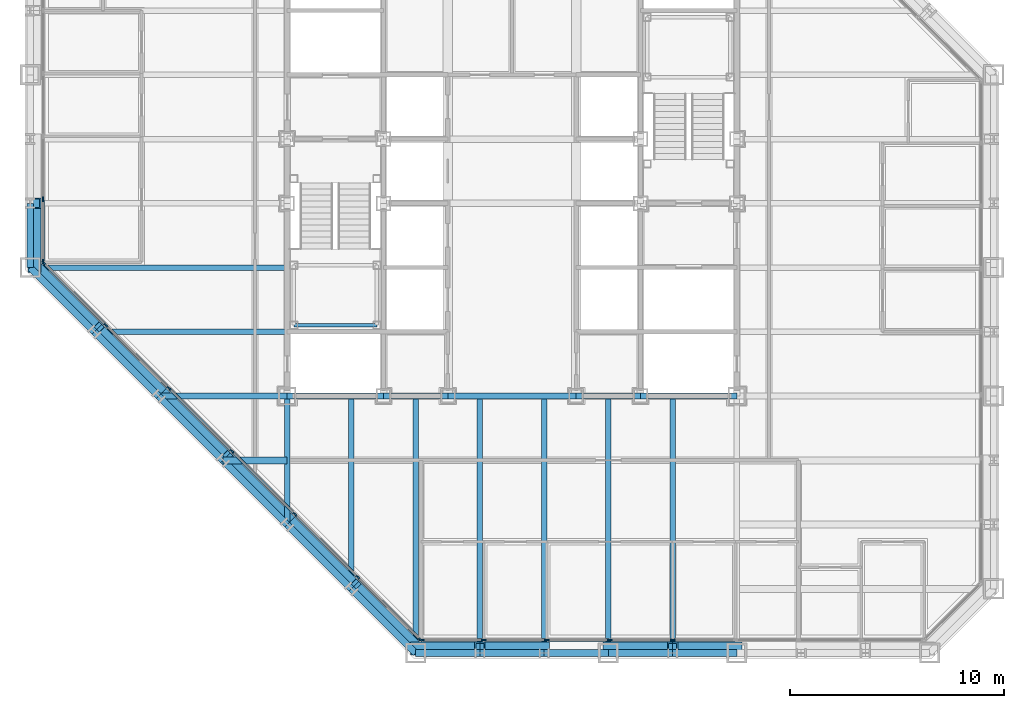
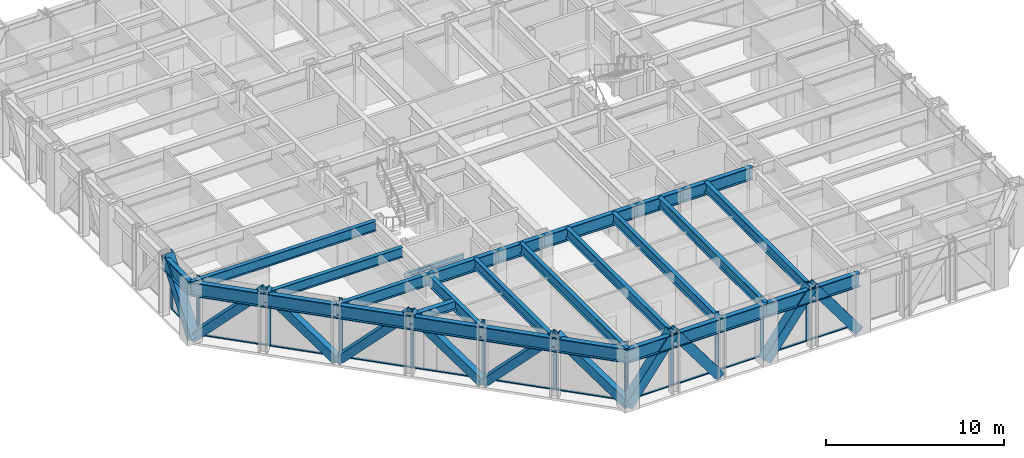
# One storey, part 4 of 16: 37 members, 29 beams, 3 elements without a shape of their own.
"""IFC4 building model written with IfcOpenShell, lengths in metres."""

from ifc_helpers import new_model, si_unit, direction, frame, origin, origin_2d, place, context, subcontext, project, spatial, rectangle, hollow_rectangle, i_section, extrude, material, layer, layer_set, material_profile, profile_set, type_object, element, aggregate, save


model = new_model("IFC4")

# Units and contexts
model_context = context("Model", 3, precision=1e-05, world=origin(), true_north=direction((0.0, 1.0)))
body_context = subcontext(model_context, "Body", "Model", "MODEL_VIEW")
ifc_project = project(units=[si_unit("LENGTHUNIT", "METRE"), si_unit("AREAUNIT", "SQUARE_METRE"), si_unit("VOLUMEUNIT", "CUBIC_METRE"), si_unit("PLANEANGLEUNIT", "RADIAN"), si_unit("MASSUNIT", "GRAM", prefix="KILO")], contexts=[model_context])

# Site, building, storey
site_placement = place(None, origin())
site = spatial("IfcSite", under=ifc_project, at=site_placement, CompositionType="ELEMENT")
building_placement = place(site_placement, origin())
building = spatial("IfcBuilding", under=site, at=building_placement, Name="Chuquiago Exchange Tower", CompositionType="ELEMENT")
storey_placement = place(building_placement, frame((0.0, 0.0, 115.199951171875)))
storey = spatial("IfcBuildingStorey", under=building, at=storey_placement, Name="L24", CompositionType="ELEMENT", Elevation=115.199951171875)

# Beams
ifc_material_1 = material(Name="Steel ASTM A992", Category="steel")
ifc_material_profile_1 = material_profile(ifc_material_1, i_section(OverallWidth=0.25390625, OverallDepth=0.683349609375, WebThickness=0.012451171875, FlangeThickness=0.018798828125, at=origin_2d()), Name="W27X94")
ifc_profile_set_1 = profile_set([ifc_material_profile_1], Name="Steel ASTM A992")
beam_type_1 = type_object("IfcBeamType", Name="B1 W27X94", PredefinedType="BEAM", material=ifc_profile_set_1)
beam_1_placement = place(storey_placement, frame((15.0, 12.0, 3.698486328125), z_axis=(0.0, -1.0, 0.0), x_axis=(1.0, 0.0, 0.0)))
element("IfcBeam", 1, at=beam_1_placement, inside=storey, type_object=beam_type_1, Name="FB-L25-infill-15_12-15_3-0", PredefinedType="BEAM", context=body_context, shape_type="SweptSolid", body=[
    extrude(i_section(OverallWidth=0.25390625, OverallDepth=0.683349609375, WebThickness=0.012451171875, FlangeThickness=0.018798828125, at=origin_2d()), origin(), (0.0, 0.0, 1.0), 9.0),
])
for number, where, z_axis, x_axis, name in (
    (2, (18.0, 12.0, 3.698486328125), (0.0, -1.0, 0.0), (1.0, 0.0, 0.0), "FB-L25-infill-18_12-18_-0-0"),
    (3, (21.0, 12.0, 3.698486328125), (0.0, -1.0, 0.0), (1.0, 0.0, 0.0), "FB-L25-infill-21_12-21_-0-0"),
    (4, (24.0, 12.0, 3.698486328125), (0.0, -1.0, 0.0), (1.0, 0.0, 0.0), "FB-L25-infill-24_12-24_-0-0"),
    (5, (27.0, 12.0, 3.698486328125), (0.0, -1.0, 0.0), (1.0, 0.0, 0.0), "FB-L25-infill-27_12-27_-0-0"),
    (6, (30.0, 12.0, 3.698486328125), (0.0, -1.0, 0.0), (1.0, 0.0, 0.0), "FB-L25-infill-30_12-30_-0-0"),
):
    element("IfcBeam", number, at=place(storey_placement, frame(where, z_axis=z_axis, x_axis=x_axis)), inside=storey, type_object=beam_type_1, Name=name, PredefinedType="BEAM", context=body_context, shape_type="SweptSolid", body=[
        extrude(i_section(OverallWidth=0.25390625, OverallDepth=0.683349609375, WebThickness=0.012451171875, FlangeThickness=0.018798828125, at=origin_2d()), origin(), (0.0, 0.0, 1.0), 12.0),
    ])
beam_2_placement = place(storey_placement, frame((12.0, 15.0, 3.698486328125), z_axis=(-1.0, 0.0, 0.0), x_axis=(0.0, -1.0, 0.0)))
element("IfcBeam", 7, at=beam_2_placement, inside=storey, type_object=beam_type_1, Name="FB-L25-infill-12_15-3_15-0", PredefinedType="BEAM", context=body_context, shape_type="SweptSolid", body=[
    extrude(i_section(OverallWidth=0.25390625, OverallDepth=0.683349609375, WebThickness=0.012451171875, FlangeThickness=0.018798828125, at=origin_2d()), origin(), (0.0, 0.0, 1.0), 9.0),
])
beam_3_placement = place(storey_placement, frame((12.0, 18.0, 3.698486328125), z_axis=(-1.0, 0.0, 0.0), x_axis=(0.0, -1.0, 0.0)))
element("IfcBeam", 8, at=beam_3_placement, inside=storey, type_object=beam_type_1, Name="FB-L25-infill-12_18--0_18-0", PredefinedType="BEAM", context=body_context, shape_type="SweptSolid", body=[
    extrude(i_section(OverallWidth=0.25390625, OverallDepth=0.683349609375, WebThickness=0.012451171875, FlangeThickness=0.018798828125, at=origin_2d()), origin(), (0.0, 0.0, 1.0), 12.0),
])
ifc_material_2 = material(Name="Steel ASTM A992", Category="steel")
ifc_material_profile_2 = material_profile(ifc_material_2, i_section(OverallWidth=0.3251953125, OverallDepth=0.612060546875, WebThickness=0.0126953125, FlangeThickness=0.01904296875, at=origin_2d()), Name="W24X104")
ifc_profile_set_2 = profile_set([ifc_material_profile_2], Name="Steel ASTM A992")
beam_type_2 = type_object("IfcBeamType", Name="B2 W24X104", PredefinedType="BEAM", material=ifc_profile_set_2)
beam_4_placement = place(storey_placement, frame((12.0, 9.0, 3.73388671875), z_axis=(-1.0, 0.0, 0.0), x_axis=(0.0, -1.0, 0.0)))
element("IfcBeam", 9, at=beam_4_placement, inside=storey, type_object=beam_type_2, Name="FB-L25-corner-12_9-9_9-0", PredefinedType="BEAM", context=body_context, shape_type="SweptSolid", body=[
    extrude(i_section(OverallWidth=0.3251953125, OverallDepth=0.612060546875, WebThickness=0.0126953125, FlangeThickness=0.01904296875, at=origin_2d()), origin(), (0.0, 0.0, 1.0), 3.0),
])
ifc_material_3 = material(Name="Steel ASTM A992", Category="steel")
ifc_material_profile_3 = material_profile(ifc_material_3, i_section(OverallWidth=0.2919921875, OverallDepth=0.8583984375, WebThickness=0.01708984375, FlangeThickness=0.031005859375, at=origin_2d()), Name="W33X169")
ifc_profile_set_3 = profile_set([ifc_material_profile_3], Name="Steel ASTM A992")
beam_type_3 = type_object("IfcBeamType", Name="B3 W33X169", PredefinedType="BEAM", material=ifc_profile_set_3)
beam_5_placement = place(storey_placement, frame((12.0, 12.0, 3.61083984375), z_axis=(1.0, 0.0, 0.0), x_axis=(0.0, 1.0, 0.0)))
element("IfcBeam", 10, at=beam_5_placement, inside=storey, type_object=beam_type_3, Name="CB-L25-12_12-16.5_12", PredefinedType="BEAM", context=body_context, shape_type="SweptSolid", body=[
    extrude(i_section(OverallWidth=0.2919921875, OverallDepth=0.8583984375, WebThickness=0.01708984375, FlangeThickness=0.031005859375, at=origin_2d()), origin(), (0.0, 0.0, 1.0), 4.5),
])
beam_6_placement = place(storey_placement, frame((16.5, 12.0, 3.61083984375), z_axis=(1.0, 0.0, 0.0), x_axis=(0.0, 1.0, 0.0)))
element("IfcBeam", 11, at=beam_6_placement, inside=storey, type_object=beam_type_3, Name="CB-L25-16.5_12-19.5_12", PredefinedType="BEAM", context=body_context, shape_type="SweptSolid", body=[
    extrude(i_section(OverallWidth=0.2919921875, OverallDepth=0.8583984375, WebThickness=0.01708984375, FlangeThickness=0.031005859375, at=origin_2d()), origin(), (0.0, 0.0, 1.0), 3.0),
])
beam_7_placement = place(storey_placement, frame((19.5, 12.0, 3.61083984375), z_axis=(1.0, 0.0, 0.0), x_axis=(0.0, 1.0, 0.0)))
element("IfcBeam", 12, at=beam_7_placement, inside=storey, type_object=beam_type_3, Name="CB-L25-19.5_12-25.5_12", PredefinedType="BEAM", context=body_context, shape_type="SweptSolid", body=[
    extrude(i_section(OverallWidth=0.2919921875, OverallDepth=0.8583984375, WebThickness=0.01708984375, FlangeThickness=0.031005859375, at=origin_2d()), origin(), (0.0, 0.0, 1.0), 6.0),
])
beam_8_placement = place(storey_placement, frame((25.5, 12.0, 3.61083984375), z_axis=(1.0, 0.0, 0.0), x_axis=(0.0, 1.0, 0.0)))
element("IfcBeam", 13, at=beam_8_placement, inside=storey, type_object=beam_type_3, Name="CB-L25-25.5_12-28.5_12", PredefinedType="BEAM", context=body_context, shape_type="SweptSolid", body=[
    extrude(i_section(OverallWidth=0.2919921875, OverallDepth=0.8583984375, WebThickness=0.01708984375, FlangeThickness=0.031005859375, at=origin_2d()), origin(), (0.0, 0.0, 1.0), 3.0),
])
beam_9_placement = place(storey_placement, frame((28.5, 12.0, 3.61083984375), z_axis=(1.0, 0.0, 0.0), x_axis=(0.0, 1.0, 0.0)))
element("IfcBeam", 14, at=beam_9_placement, inside=storey, type_object=beam_type_3, Name="CB-L25-28.5_12-33_12", PredefinedType="BEAM", context=body_context, shape_type="SweptSolid", body=[
    extrude(i_section(OverallWidth=0.2919921875, OverallDepth=0.8583984375, WebThickness=0.01708984375, FlangeThickness=0.031005859375, at=origin_2d()), origin(), (0.0, 0.0, 1.0), 4.5),
])

# Curtain wall, members
ifc_material_4 = material(Name="Aluminium curtain wall system", Category="aluminium")
ifc_layer_1 = layer(ifc_material_4, 0.22509765625)
ifc_layer_set_1 = layer_set([ifc_layer_1], Name="CW2 office curtain wall")
curtain_wall_type_1 = type_object("IfcCurtainWallType", Name="CW2 office curtain wall", PredefinedType="NOTDEFINED", material=ifc_layer_set_1)
curtain_wall_1_placement = place(storey_placement, origin())
curtain_wall_1 = element("IfcCurtainWall", 15, at=curtain_wall_1_placement, inside=storey, type_object=curtain_wall_type_1, Name="CW2 curtain wall L24", PredefinedType="NOTDEFINED")
ifc_material_5 = material(Name="Aluminium mullion, pale anodised", Category="aluminium")
ifc_material_profile_4 = material_profile(ifc_material_5, rectangle(XDim=0.06494140625, YDim=0.22509765625, at=origin_2d()), Name="AL 65x225")
ifc_profile_set_4 = profile_set([ifc_material_profile_4], Name="Aluminium mullion, pale anodised")
member_type_1 = type_object("IfcMemberType", Name="CW2-M mullion 65x225", PredefinedType="MULLION", material=ifc_profile_set_4)
member_1_placement = place(storey_placement, frame((18.281005859375, 0.60009765625, 0.0), z_axis=(0.0, 0.0, 1.0), x_axis=(0.0, 1.0, 0.0)))
member_1 = element("IfcMember", 16, at=member_1_placement, type_object=member_type_1, Name="CW2 mullion 1", PredefinedType="MULLION", context=body_context, shape_type="SweptSolid", body=[
    extrude(rectangle(XDim=0.06494140625, YDim=0.22509765625, at=origin_2d()), origin(), (0.0, 0.0, 1.0), 4.0400390625),
])
member_2_placement = place(storey_placement, frame((21.186279296875, 0.60009765625, 0.0), z_axis=(0.0, 0.0, 1.0), x_axis=(0.0, 1.0, 0.0)))
member_2 = element("IfcMember", 17, at=member_2_placement, type_object=member_type_1, Name="CW2 mullion 2", PredefinedType="MULLION", context=body_context, shape_type="SweptSolid", body=[
    extrude(rectangle(XDim=0.06494140625, YDim=0.22509765625, at=origin_2d()), origin(), (0.0, 0.0, 1.0), 4.0400390625),
])
member_3_placement = place(storey_placement, frame((24.124267578125, 0.60009765625, 0.0), z_axis=(0.0, 0.0, 1.0), x_axis=(0.0, 1.0, 0.0)))
member_3 = element("IfcMember", 18, at=member_3_placement, type_object=member_type_1, Name="CW2 mullion 3", PredefinedType="MULLION", context=body_context, shape_type="SweptSolid", body=[
    extrude(rectangle(XDim=0.06494140625, YDim=0.22509765625, at=origin_2d()), origin(), (0.0, 0.0, 1.0), 4.0400390625),
])
member_4_placement = place(storey_placement, frame((27.06201171875, 0.60009765625, 0.0), z_axis=(0.0, 0.0, 1.0), x_axis=(0.0, 1.0, 0.0)))
member_4 = element("IfcMember", 19, at=member_4_placement, type_object=member_type_1, Name="CW2 mullion 4", PredefinedType="MULLION", context=body_context, shape_type="SweptSolid", body=[
    extrude(rectangle(XDim=0.06494140625, YDim=0.22509765625, at=origin_2d()), origin(), (0.0, 0.0, 1.0), 4.0400390625),
])
member_5_placement = place(storey_placement, frame((30.0, 0.60009765625, 0.0), z_axis=(0.0, 0.0, 1.0), x_axis=(0.0, 1.0, 0.0)))
member_5 = element("IfcMember", 20, at=member_5_placement, type_object=member_type_1, Name="CW2 mullion 5", PredefinedType="MULLION", context=body_context, shape_type="SweptSolid", body=[
    extrude(rectangle(XDim=0.06494140625, YDim=0.22509765625, at=origin_2d()), origin(), (0.0, 0.0, 1.0), 4.0400390625),
])

curtain_wall_2_placement = place(storey_placement, origin())
curtain_wall_2 = element("IfcCurtainWall", 21, at=curtain_wall_2_placement, inside=storey, type_object=curtain_wall_type_1, Name="CW2 curtain wall L24", PredefinedType="NOTDEFINED")
member_6_placement = place(storey_placement, frame((0.60009765625, 21.186279296875, 0.0), z_axis=(0.0, 0.0, 1.0), x_axis=(1.0, 0.0, 0.0)))
member_6 = element("IfcMember", 22, at=member_6_placement, type_object=member_type_1, Name="CW2 mullion 8", PredefinedType="MULLION", context=body_context, shape_type="SweptSolid", body=[
    extrude(rectangle(XDim=0.06494140625, YDim=0.22509765625, at=origin_2d()), origin(), (0.0, 0.0, 1.0), 4.0400390625),
])
member_7_placement = place(storey_placement, frame((0.60009765625, 18.281005859375, 0.0), z_axis=(0.0, 0.0, 1.0), x_axis=(1.0, 0.0, 0.0)))
member_7 = element("IfcMember", 23, at=member_7_placement, type_object=member_type_1, Name="CW2 mullion 9", PredefinedType="MULLION", context=body_context, shape_type="SweptSolid", body=[
    extrude(rectangle(XDim=0.06494140625, YDim=0.22509765625, at=origin_2d()), origin(), (0.0, 0.0, 1.0), 4.0400390625),
])

# Member
ifc_material_6 = material(Name="Aluminium transom, pale anodised", Category="aluminium")
ifc_material_profile_5 = material_profile(ifc_material_6, rectangle(XDim=0.139892578125, YDim=0.06494140625, at=origin_2d()), Name="AL 140x65")
ifc_profile_set_5 = profile_set([ifc_material_profile_5], Name="Aluminium transom, pale anodised")
member_type_2 = type_object("IfcMemberType", Name="CW2-T transom 65x140", PredefinedType="MULLION", material=ifc_profile_set_5)
member_8_placement = place(storey_placement, frame((18.3134765625, 0.60009765625, 0.032470703125), z_axis=(1.0, 0.0, 0.0), x_axis=(0.0, 1.0, 0.0)))
member_8 = element("IfcMember", 24, at=member_8_placement, type_object=member_type_2, Name="CW2 transom 1.1", PredefinedType="MULLION", context=body_context, shape_type="SweptSolid", body=[
    extrude(rectangle(XDim=0.139892578125, YDim=0.06494140625, at=origin_2d()), origin(), (0.0, 0.0, 1.0), 2.84033203125),
])

member_9_placement = place(storey_placement, frame((21.218994140625, 0.60009765625, 0.032470703125), z_axis=(1.0, 0.0, 0.0), x_axis=(0.0, 1.0, 0.0)))
member_9 = element("IfcMember", 25, at=member_9_placement, type_object=member_type_2, Name="CW2 transom 2.1", PredefinedType="MULLION", context=body_context, shape_type="SweptSolid", body=[
    extrude(rectangle(XDim=0.139892578125, YDim=0.06494140625, at=origin_2d()), origin(), (0.0, 0.0, 1.0), 2.872802734375),
])

member_10_placement = place(storey_placement, frame((24.15673828125, 0.60009765625, 0.032470703125), z_axis=(1.0, 0.0, 0.0), x_axis=(0.0, 1.0, 0.0)))
member_10 = element("IfcMember", 26, at=member_10_placement, type_object=member_type_2, Name="CW2 transom 3.1", PredefinedType="MULLION", context=body_context, shape_type="SweptSolid", body=[
    extrude(rectangle(XDim=0.139892578125, YDim=0.06494140625, at=origin_2d()), origin(), (0.0, 0.0, 1.0), 2.872802734375),
])

member_11_placement = place(storey_placement, frame((27.0947265625, 0.60009765625, 0.032470703125), z_axis=(1.0, 0.0, 0.0), x_axis=(0.0, 1.0, 0.0)))
member_11 = element("IfcMember", 27, at=member_11_placement, type_object=member_type_2, Name="CW2 transom 4.1", PredefinedType="MULLION", context=body_context, shape_type="SweptSolid", body=[
    extrude(rectangle(XDim=0.139892578125, YDim=0.06494140625, at=origin_2d()), origin(), (0.0, 0.0, 1.0), 2.872802734375),
])

member_12_placement = place(storey_placement, frame((30.032470703125, 0.60009765625, 0.032470703125), z_axis=(1.0, 0.0, 0.0), x_axis=(0.0, 1.0, 0.0)))
member_12 = element("IfcMember", 28, at=member_12_placement, type_object=member_type_2, Name="CW2 transom 5.1", PredefinedType="MULLION", context=body_context, shape_type="SweptSolid", body=[
    extrude(rectangle(XDim=0.139892578125, YDim=0.06494140625, at=origin_2d()), origin(), (0.0, 0.0, 1.0), 2.872802734375),
])

aggregate(curtain_wall_1, [member_1, member_2, member_3, member_4, member_5, member_8, member_9, member_10, member_11, member_12])

member_13_placement = place(storey_placement, frame((0.60009765625, 21.15380859375, 0.032470703125), z_axis=(0.0, -1.0, 0.0), x_axis=(1.0, 0.0, 0.0)))
member_13 = element("IfcMember", 29, at=member_13_placement, type_object=member_type_2, Name="CW2 transom 8.1", PredefinedType="MULLION", context=body_context, shape_type="SweptSolid", body=[
    extrude(rectangle(XDim=0.139892578125, YDim=0.06494140625, at=origin_2d()), origin(), (0.0, 0.0, 1.0), 2.84033203125),
])

aggregate(curtain_wall_2, [member_6, member_7, member_13])

# Curtain wall, members
ifc_material_7 = material(Name="Aluminium curtain wall system", Category="aluminium")
ifc_layer_2 = layer(ifc_material_7, 0.199951171875)
ifc_layer_set_2 = layer_set([ifc_layer_2], Name="CW3 facet curtain wall")
curtain_wall_type_2 = type_object("IfcCurtainWallType", Name="CW3 facet curtain wall", PredefinedType="NOTDEFINED", material=ifc_layer_set_2)
curtain_wall_3_placement = place(storey_placement, origin())
curtain_wall_3 = element("IfcCurtainWall", 30, at=curtain_wall_3_placement, inside=storey, type_object=curtain_wall_type_2, Name="CW3 curtain wall L24", PredefinedType="NOTDEFINED")
ifc_material_8 = material(Name="Aluminium mullion, pale anodised", Category="aluminium")
ifc_material_profile_6 = material_profile(ifc_material_8, rectangle(XDim=0.06494140625, YDim=0.199951171875, at=origin_2d()), Name="AL 65x200")
ifc_profile_set_6 = profile_set([ifc_material_profile_6], Name="Aluminium mullion, pale anodised")
member_type_3 = type_object("IfcMemberType", Name="CW3-M mullion 65x200", PredefinedType="MULLION", material=ifc_profile_set_6)
member_14_placement = place(storey_placement, frame((0.623046875, 18.2255859375, 0.0), z_axis=(0.0, 0.0, 1.0), x_axis=(0.707106781187, 0.707106781187, 0.0)))
member_14 = element("IfcMember", 31, at=member_14_placement, type_object=member_type_3, Name="CW3 mullion 1", PredefinedType="MULLION", context=body_context, shape_type="SweptSolid", body=[
    extrude(rectangle(XDim=0.06494140625, YDim=0.199951171875, at=origin_2d()), origin(), (0.0, 0.0, 1.0), 4.0400390625),
])
member_15_placement = place(storey_placement, frame((3.54150390625, 15.30712890625, 0.0), z_axis=(0.0, 0.0, 1.0), x_axis=(0.707106781187, 0.707106781187, 0.0)))
member_15 = element("IfcMember", 32, at=member_15_placement, type_object=member_type_3, Name="CW3 mullion 2", PredefinedType="MULLION", context=body_context, shape_type="SweptSolid", body=[
    extrude(rectangle(XDim=0.06494140625, YDim=0.199951171875, at=origin_2d()), origin(), (0.0, 0.0, 1.0), 4.0400390625),
])
member_16_placement = place(storey_placement, frame((6.48291015625, 12.36572265625, 0.0), z_axis=(0.0, 0.0, 1.0), x_axis=(0.707106781187, 0.707106781187, 0.0)))
member_16 = element("IfcMember", 33, at=member_16_placement, type_object=member_type_3, Name="CW3 mullion 3", PredefinedType="MULLION", context=body_context, shape_type="SweptSolid", body=[
    extrude(rectangle(XDim=0.06494140625, YDim=0.199951171875, at=origin_2d()), origin(), (0.0, 0.0, 1.0), 4.0400390625),
])
member_17_placement = place(storey_placement, frame((9.42431640625, 9.42431640625, 0.0), z_axis=(0.0, 0.0, 1.0), x_axis=(0.707106781187, 0.707106781187, 0.0)))
member_17 = element("IfcMember", 34, at=member_17_placement, type_object=member_type_3, Name="CW3 mullion 4", PredefinedType="MULLION", context=body_context, shape_type="SweptSolid", body=[
    extrude(rectangle(XDim=0.06494140625, YDim=0.199951171875, at=origin_2d()), origin(), (0.0, 0.0, 1.0), 4.0400390625),
])
member_18_placement = place(storey_placement, frame((12.36572265625, 6.48291015625, 0.0), z_axis=(0.0, 0.0, 1.0), x_axis=(0.707106781187, 0.707106781187, 0.0)))
member_18 = element("IfcMember", 35, at=member_18_placement, type_object=member_type_3, Name="CW3 mullion 5", PredefinedType="MULLION", context=body_context, shape_type="SweptSolid", body=[
    extrude(rectangle(XDim=0.06494140625, YDim=0.199951171875, at=origin_2d()), origin(), (0.0, 0.0, 1.0), 4.0400390625),
])
member_19_placement = place(storey_placement, frame((15.30712890625, 3.54150390625, 0.0), z_axis=(0.0, 0.0, 1.0), x_axis=(0.707106781187, 0.707106781187, 0.0)))
member_19 = element("IfcMember", 36, at=member_19_placement, type_object=member_type_3, Name="CW3 mullion 6", PredefinedType="MULLION", context=body_context, shape_type="SweptSolid", body=[
    extrude(rectangle(XDim=0.06494140625, YDim=0.199951171875, at=origin_2d()), origin(), (0.0, 0.0, 1.0), 4.0400390625),
])
member_20_placement = place(storey_placement, frame((18.2255859375, 0.623046875, 0.0), z_axis=(0.0, 0.0, 1.0), x_axis=(0.707106781187, 0.707106781187, 0.0)))
member_20 = element("IfcMember", 37, at=member_20_placement, type_object=member_type_3, Name="CW3 mullion 7", PredefinedType="MULLION", context=body_context, shape_type="SweptSolid", body=[
    extrude(rectangle(XDim=0.06494140625, YDim=0.199951171875, at=origin_2d()), origin(), (0.0, 0.0, 1.0), 4.0400390625),
])
ifc_material_9 = material(Name="Aluminium transom, pale anodised", Category="aluminium")
ifc_material_profile_7 = material_profile(ifc_material_9, rectangle(XDim=0.139892578125, YDim=0.06494140625, at=origin_2d()), Name="AL 140x65")
ifc_profile_set_7 = profile_set([ifc_material_profile_7], Name="Aluminium transom, pale anodised")
member_type_4 = type_object("IfcMemberType", Name="CW3-T transom 65x140", PredefinedType="MULLION", material=ifc_profile_set_7)
member_21_placement = place(storey_placement, frame((0.64599609375, 18.20263671875, 0.032470703125), z_axis=(0.707106781187, -0.707106781187, 0.0), x_axis=(0.707106781187, 0.707106781187, 0.0)))
member_21 = element("IfcMember", 38, at=member_21_placement, type_object=member_type_4, Name="CW3 transom 1.1", PredefinedType="MULLION", context=body_context, shape_type="SweptSolid", body=[
    extrude(rectangle(XDim=0.139892578125, YDim=0.06494140625, at=origin_2d()), origin(), (0.0, 0.0, 1.0), 4.0625),
])
member_22_placement = place(storey_placement, frame((3.564453125, 15.2841796875, 0.032470703125), z_axis=(0.707106781187, -0.707106781187, 0.0), x_axis=(0.707106781187, 0.707106781187, 0.0)))
member_22 = element("IfcMember", 39, at=member_22_placement, type_object=member_type_4, Name="CW3 transom 2.1", PredefinedType="MULLION", context=body_context, shape_type="SweptSolid", body=[
    extrude(rectangle(XDim=0.139892578125, YDim=0.06494140625, at=origin_2d()), origin(), (0.0, 0.0, 1.0), 4.094970703125),
])
member_23_placement = place(storey_placement, frame((6.505859375, 12.3427734375, 0.032470703125), z_axis=(0.707106781187, -0.707106781187, 0.0), x_axis=(0.707106781187, 0.707106781187, 0.0)))
member_23 = element("IfcMember", 40, at=member_23_placement, type_object=member_type_4, Name="CW3 transom 3.1", PredefinedType="MULLION", context=body_context, shape_type="SweptSolid", body=[
    extrude(rectangle(XDim=0.139892578125, YDim=0.06494140625, at=origin_2d()), origin(), (0.0, 0.0, 1.0), 4.094970703125),
])
member_24_placement = place(storey_placement, frame((9.447265625, 9.4013671875, 0.032470703125), z_axis=(0.707106781187, -0.707106781187, 0.0), x_axis=(0.707106781187, 0.707106781187, 0.0)))
member_24 = element("IfcMember", 41, at=member_24_placement, type_object=member_type_4, Name="CW3 transom 4.1", PredefinedType="MULLION", context=body_context, shape_type="SweptSolid", body=[
    extrude(rectangle(XDim=0.139892578125, YDim=0.06494140625, at=origin_2d()), origin(), (0.0, 0.0, 1.0), 4.094970703125),
])
member_25_placement = place(storey_placement, frame((12.388671875, 6.4599609375, 0.032470703125), z_axis=(0.707106781187, -0.707106781187, 0.0), x_axis=(0.707106781187, 0.707106781187, 0.0)))
member_25 = element("IfcMember", 42, at=member_25_placement, type_object=member_type_4, Name="CW3 transom 5.1", PredefinedType="MULLION", context=body_context, shape_type="SweptSolid", body=[
    extrude(rectangle(XDim=0.139892578125, YDim=0.06494140625, at=origin_2d()), origin(), (0.0, 0.0, 1.0), 4.094970703125),
])
member_26_placement = place(storey_placement, frame((15.330078125, 3.5185546875, 0.032470703125), z_axis=(0.707106781187, -0.707106781187, 0.0), x_axis=(0.707106781187, 0.707106781187, 0.0)))
member_26 = element("IfcMember", 43, at=member_26_placement, type_object=member_type_4, Name="CW3 transom 6.1", PredefinedType="MULLION", context=body_context, shape_type="SweptSolid", body=[
    extrude(rectangle(XDim=0.139892578125, YDim=0.06494140625, at=origin_2d()), origin(), (0.0, 0.0, 1.0), 4.0625),
])
aggregate(curtain_wall_3, [member_14, member_15, member_16, member_17, member_18, member_19, member_20, member_21, member_22, member_23, member_24, member_25, member_26])

# Beams
ifc_material_10 = material(Name="Steel ASTM A992", Category="steel")
ifc_material_profile_8 = material_profile(ifc_material_10, i_section(OverallWidth=0.2666015625, OverallDepth=0.76953125, WebThickness=0.015625, FlangeThickness=0.025390625, at=origin_2d()), Name="W30X132")
ifc_profile_set_8 = profile_set([ifc_material_profile_8], Name="Steel ASTM A992")
beam_type_4 = type_object("IfcBeamType", Name="G1 W30X132", PredefinedType="BEAM", material=ifc_profile_set_8)
for number, where, z_axis, x_axis, name in (
    (44, (12.0, 12.0, 3.6552734375), (0.0, -1.0, 0.0), (1.0, 0.0, 0.0), "FB-L25-girder-12_12-12_6-0"),
    (45, (12.0, 12.0, 3.6552734375), (-1.0, 0.0, 0.0), (0.0, -1.0, 0.0), "FB-L25-girder-12_12-6_12-0"),
):
    element("IfcBeam", number, at=place(storey_placement, frame(where, z_axis=z_axis, x_axis=x_axis)), inside=storey, type_object=beam_type_4, Name=name, PredefinedType="BEAM", context=body_context, shape_type="SweptSolid", body=[
        extrude(i_section(OverallWidth=0.2666015625, OverallDepth=0.76953125, WebThickness=0.015625, FlangeThickness=0.025390625, at=origin_2d()), origin(), (0.0, 0.0, 1.0), 6.0),
    ])

# Members
ifc_material_11 = material(Name="Steel ASTM A500 Grade C", Category="steel")
ifc_material_profile_9 = material_profile(ifc_material_11, hollow_rectangle(XDim=0.508056640625, YDim=0.508056640625, WallThickness=0.017822265625, at=origin_2d()), Name="HSS20X20X3/4")
ifc_profile_set_9 = profile_set([ifc_material_profile_9], Name="Steel ASTM A500 Grade C")
member_type_5 = type_object("IfcMemberType", Name="LB1 HSS20X20X3/4", PredefinedType="BRACE", material=ifc_profile_set_9)
for number, where, z_axis, x_axis, name in (
    (46, (0.177490234375, 18.177490234375, 0.0), (0.512077265487, -0.512077265487, 0.689604051861), (0.707106781187, 0.707106781187, 0.0), "LB-L24-0_18-3_15"),
    (47, (6.177490234375, 12.177490234375, 0.0), (-0.512077265487, 0.512077265487, 0.689604051861), (-0.707106781187, -0.707106781187, 0.0), "LB-L24-3_15-6_12"),
    (48, (6.177490234375, 12.177490234375, 0.0), (0.512077265487, -0.512077265487, 0.689604051861), (0.707106781187, 0.707106781187, 0.0), "LB-L24-6_12-9_9"),
    (49, (12.177490234375, 6.177490234375, 0.0), (-0.512077265487, 0.512077265487, 0.689604051861), (-0.707106781187, -0.707106781187, 0.0), "LB-L24-9_9-12_6"),
    (50, (12.177490234375, 6.177490234375, 0.0), (0.512077265487, -0.512077265487, 0.689604051861), (0.707106781187, 0.707106781187, 0.0), "LB-L24-12_6-15_3"),
    (51, (18.177490234375, 0.177490234375, 0.0), (-0.512077265487, 0.512077265487, 0.689604051861), (-0.707106781187, -0.707106781187, 0.0), "LB-L24-15_3-18_0"),
):
    element("IfcMember", number, at=place(storey_placement, frame(where, z_axis=z_axis, x_axis=x_axis)), inside=storey, type_object=member_type_5, Name=name, PredefinedType="BRACE", context=body_context, shape_type="SweptSolid", body=[
        extrude(hollow_rectangle(XDim=0.508056640625, YDim=0.508056640625, WallThickness=0.017822265625, at=origin_2d()), origin(), (0.0, 0.0, 1.0), 5.8583984375),
    ])

# Beam
ifc_material_12 = material(Name="Steel ASTM A992", Category="steel")
ifc_material_profile_10 = material_profile(ifc_material_12, i_section(OverallWidth=0.164794921875, OverallDepth=0.309814453125, WebThickness=0.005859375, FlangeThickness=0.009765625, at=origin_2d()), Name="W12X26")
ifc_profile_set_10 = profile_set([ifc_material_profile_10], Name="Steel ASTM A992")
beam_type_5 = type_object("IfcBeamType", Name="LT1 W12X26", PredefinedType="BEAM", material=ifc_profile_set_10)
beam_10_placement = place(storey_placement, frame((12.31005859375, 15.31005859375, 1.7451171875), z_axis=(1.0, 0.0, 0.0), x_axis=(0.0, 1.0, 0.0)))
element("IfcBeam", 52, at=beam_10_placement, inside=storey, type_object=beam_type_5, Name="Stair ST1 L24 landing 1 trimmer", PredefinedType="BEAM", context=body_context, shape_type="SweptSolid", body=[
    extrude(i_section(OverallWidth=0.164794921875, OverallDepth=0.309814453125, WebThickness=0.005859375, FlangeThickness=0.009765625, at=origin_2d()), origin(), (0.0, 0.0, 1.0), 3.8798828125),
])

# Members
ifc_material_13 = material(Name="Steel ASTM A572 Grade 50", Category="steel")
ifc_material_profile_11 = material_profile(ifc_material_13, hollow_rectangle(XDim=0.60009765625, YDim=0.60009765625, WallThickness=0.06005859375, at=origin_2d()), Name="BOX600X600X60")
ifc_profile_set_11 = profile_set([ifc_material_profile_11], Name="Steel ASTM A572 Grade 50")
member_type_6 = type_object("IfcMemberType", Name="MB2 BOX600X600X60", PredefinedType="BRACE", material=ifc_profile_set_11)
for number, where, z_axis, x_axis, name in (
    (53, (18.0, 0.205078125, 0.0), (0.596173923302, 0.0, 0.802855312728), (0.0, 1.0, 0.0), "Mega diagonal L24 S face"),
    (54, (24.0, 0.205078125, 0.0), (-0.596173923302, 0.0, 0.802855312728), (0.0, -1.0, 0.0), "Mega diagonal L24 S face"),
    (55, (27.0, 0.205078125, 0.0), (0.596173923302, 0.0, 0.802855312728), (0.0, 1.0, 0.0), "Mega diagonal L24 S face"),
    (56, (33.0, 0.205078125, 0.0), (-0.596173923302, 0.0, 0.802855312728), (0.0, -1.0, 0.0), "Mega diagonal L24 S face"),
    (57, (0.205078125, 18.0, 0.0), (0.0, 0.596173923302, 0.802855312728), (-1.0, 0.0, 0.0), "Mega diagonal L24 W face"),
):
    element("IfcMember", number, at=place(storey_placement, frame(where, z_axis=z_axis, x_axis=x_axis)), inside=storey, type_object=member_type_6, Name=name, PredefinedType="BRACE", context=body_context, shape_type="SweptSolid", body=[
        extrude(hollow_rectangle(XDim=0.60009765625, YDim=0.60009765625, WallThickness=0.06005859375, at=origin_2d()), origin(), (0.0, 0.0, 1.0), 5.031982421875),
    ])

# Beams
ifc_material_14 = material(Name="Steel ASTM A992", Category="steel")
ifc_material_profile_12 = material_profile(ifc_material_14, i_section(OverallWidth=0.309814453125, OverallDepth=0.949951171875, WebThickness=0.0244140625, FlangeThickness=0.0439453125, at=origin_2d()), Name="W36X256")
ifc_profile_set_12 = profile_set([ifc_material_profile_12], Name="Steel ASTM A992")
beam_type_6 = type_object("IfcBeamType", Name="SP2 W36X256", PredefinedType="SPANDREL", material=ifc_profile_set_12)
for number, where, z_axis, x_axis, name in (
    (58, (18.0, 0.0, 3.56494140625), (1.0, 0.0, 0.0), (0.0, 1.0, 0.0), "SPB-L25-18_0-21_0"),
    (59, (21.0, 0.0, 3.56494140625), (1.0, 0.0, 0.0), (0.0, 1.0, 0.0), "SPB-L25-21_0-24_0"),
    (60, (24.0, 0.0, 3.56494140625), (1.0, 0.0, 0.0), (0.0, 1.0, 0.0), "SPB-L25-24_0-27_0"),
    (61, (27.0, 0.0, 3.56494140625), (1.0, 0.0, 0.0), (0.0, 1.0, 0.0), "SPB-L25-27_0-30_0"),
    (62, (30.0, 0.0, 3.56494140625), (1.0, 0.0, 0.0), (0.0, 1.0, 0.0), "SPB-L25-30_0-33_0"),
    (63, (0.0, 21.0, 3.56494140625), (0.0, -1.0, 0.0), (1.0, 0.0, 0.0), "SPB-L25-0_21-0_18"),
):
    element("IfcBeam", number, at=place(storey_placement, frame(where, z_axis=z_axis, x_axis=x_axis)), inside=storey, type_object=beam_type_6, Name=name, PredefinedType="SPANDREL", context=body_context, shape_type="SweptSolid", body=[
        extrude(i_section(OverallWidth=0.309814453125, OverallDepth=0.949951171875, WebThickness=0.0244140625, FlangeThickness=0.0439453125, at=origin_2d()), origin(), (0.0, 0.0, 1.0), 3.0),
    ])
for number, where, z_axis, x_axis, name in (
    (64, (0.0, 18.0, 3.56494140625), (0.707106781187, -0.707106781187, 0.0), (0.707106781187, 0.707106781187, 0.0), "SPB-L25-0_18-3_15"),
    (65, (3.0, 15.0, 3.56494140625), (0.707106781187, -0.707106781187, 0.0), (0.707106781187, 0.707106781187, 0.0), "SPB-L25-3_15-6_12"),
    (66, (6.0, 12.0, 3.56494140625), (0.707106781187, -0.707106781187, 0.0), (0.707106781187, 0.707106781187, 0.0), "SPB-L25-6_12-9_9"),
    (67, (9.0, 9.0, 3.56494140625), (0.707106781187, -0.707106781187, 0.0), (0.707106781187, 0.707106781187, 0.0), "SPB-L25-9_9-12_6"),
    (68, (12.0, 6.0, 3.56494140625), (0.707106781187, -0.707106781187, 0.0), (0.707106781187, 0.707106781187, 0.0), "SPB-L25-12_6-15_3"),
    (69, (15.0, 3.0, 3.56494140625), (0.707106781187, -0.707106781187, 0.0), (0.707106781187, 0.707106781187, 0.0), "SPB-L25-15_3-18_0"),
):
    element("IfcBeam", number, at=place(storey_placement, frame(where, z_axis=z_axis, x_axis=x_axis)), inside=storey, type_object=beam_type_6, Name=name, PredefinedType="SPANDREL", context=body_context, shape_type="SweptSolid", body=[
        extrude(i_section(OverallWidth=0.309814453125, OverallDepth=0.949951171875, WebThickness=0.0244140625, FlangeThickness=0.0439453125, at=origin_2d()), origin(), (0.0, 0.0, 1.0), 4.24267578125),
    ])

save(model, "model.ifc")
